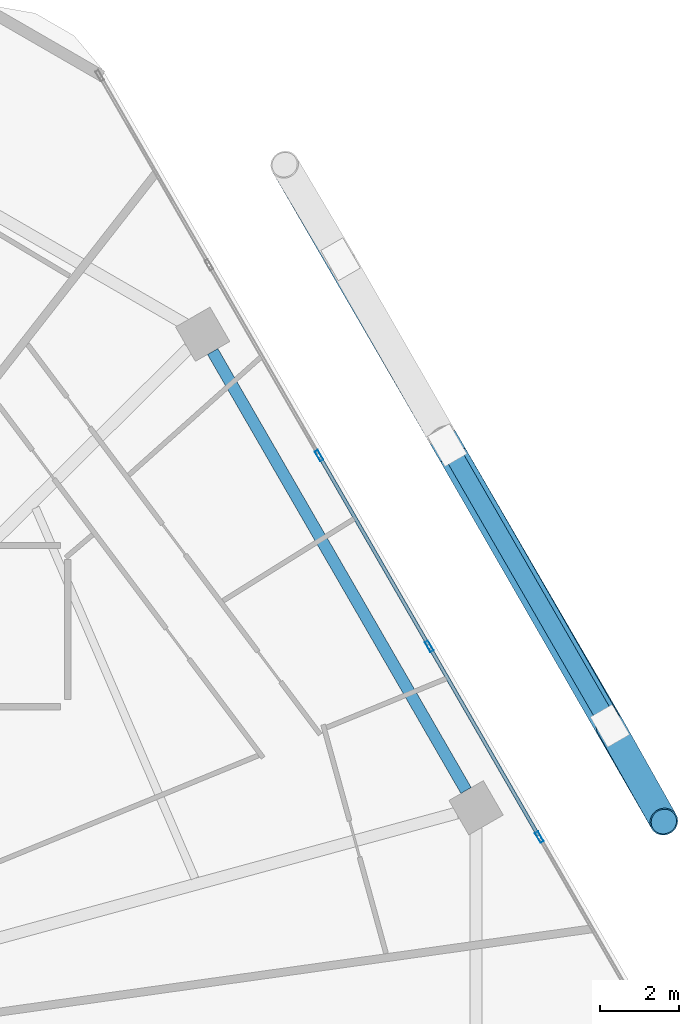
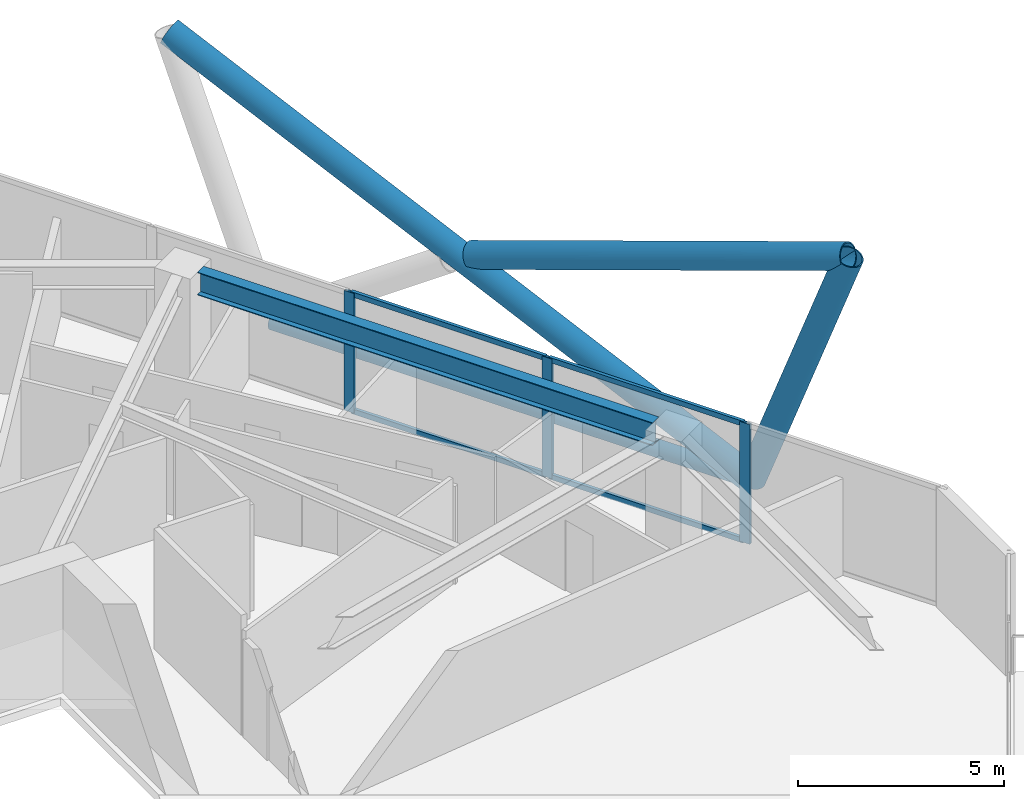
# One storey, part 16 of 28: 11 members, 1 beam, 1 element without a shape of its own.
"""IFC4 building model written with IfcOpenShell, lengths in metres."""

from ifc_helpers import new_model, si_unit, direction, frame, origin, origin_2d, place, context, subcontext, project, spatial, hollow_rectangle, hollow_circle, i_section, extrude, material, material_profile, profile_set, type_object, element, aggregate, save


model = new_model("IFC4")

# Units and contexts
model_context = context("Model", 3, precision=1e-05, world=origin(), true_north=direction((0.0, 1.0)))
body_context = subcontext(model_context, "Body", "Model", "MODEL_VIEW")
ifc_project = project(units=[si_unit("LENGTHUNIT", "METRE"), si_unit("AREAUNIT", "SQUARE_METRE"), si_unit("VOLUMEUNIT", "CUBIC_METRE"), si_unit("PLANEANGLEUNIT", "RADIAN"), si_unit("MASSUNIT", "GRAM", prefix="KILO")], contexts=[model_context])

# Site, building, storey
site_placement = place(None, origin())
site = spatial("IfcSite", under=ifc_project, at=site_placement, CompositionType="ELEMENT")
building_placement = place(site_placement, origin())
building = spatial("IfcBuilding", under=site, at=building_placement, Name="Zuhravey Tower", CompositionType="ELEMENT")
storey_placement = place(building_placement, frame((0.0, 0.0, 154.199951171875)))
storey = spatial("IfcBuildingStorey", under=building, at=storey_placement, Name="L38", CompositionType="ELEMENT", Elevation=154.199951171875)

# Curtain wall, members
ifc_material_1 = material(Name="Thermally broken anodised aluminium", Category="aluminium")
curtain_wall_type = type_object("IfcCurtainWallType", Name="Zone 1-2 Residential Curtain Wall CW3", PredefinedType="NOTDEFINED", material=ifc_material_1)
curtain_wall_placement = place(storey_placement, origin())
curtain_wall = element("IfcCurtainWall", 1, at=curtain_wall_placement, inside=storey, type_object=curtain_wall_type, Name="L38 CW3 CW-L38-F1-1", PredefinedType="NOTDEFINED")
ifc_material_2 = material(Name="Anodised aluminium", Category="aluminium")
ifc_material_profile_1 = material_profile(ifc_material_2, hollow_rectangle(XDim=0.090087890625, YDim=0.284912109375, WallThickness=0.0048828125, at=origin_2d()), Name="ALU-RHS-90x285x5")
ifc_profile_set_1 = profile_set([ifc_material_profile_1], Name="Anodised aluminium")
member_type_1 = type_object("IfcMemberType", Name="Curtain-Wall Mullion 90x180", PredefinedType="MULLION", material=ifc_profile_set_1)
member_1_placement = place(storey_placement, frame((58.155029296875, 47.992431640625, 0.0), z_axis=(0.0, 0.0, 1.0), x_axis=(0.866025138215, 0.500000459979, 0.0)))
member_1 = element("IfcMember", 2, at=member_1_placement, type_object=member_type_1, Name="CW3 mullion 3", PredefinedType="MULLION", context=body_context, shape_type="SweptSolid", body=[
    extrude(hollow_rectangle(XDim=0.090087890625, YDim=0.284912109375, WallThickness=0.0048828125, at=origin_2d()), origin(), (0.0, 0.0, 1.0), 3.550048828125),
])
member_2_placement = place(storey_placement, frame((60.92724609375, 43.190673828125, 0.0), z_axis=(0.0, 0.0, 1.0), x_axis=(0.866025138215, 0.500000459979, 0.0)))
member_2 = element("IfcMember", 3, at=member_2_placement, type_object=member_type_1, Name="CW3 mullion 4", PredefinedType="MULLION", context=body_context, shape_type="SweptSolid", body=[
    extrude(hollow_rectangle(XDim=0.090087890625, YDim=0.284912109375, WallThickness=0.0048828125, at=origin_2d()), origin(), (0.0, 0.0, 1.0), 3.550048828125),
])
member_3_placement = place(storey_placement, frame((63.699462890625, 38.38916015625, 0.0), z_axis=(0.0, 0.0, 1.0), x_axis=(0.866025138215, 0.500000459979, 0.0)))
member_3 = element("IfcMember", 4, at=member_3_placement, type_object=member_type_1, Name="CW3 mullion 5", PredefinedType="MULLION", context=body_context, shape_type="SweptSolid", body=[
    extrude(hollow_rectangle(XDim=0.090087890625, YDim=0.284912109375, WallThickness=0.0048828125, at=origin_2d()), origin(), (0.0, 0.0, 1.0), 3.550048828125),
])
ifc_material_profile_2 = material_profile(ifc_material_2, hollow_rectangle(XDim=0.090087890625, YDim=0.14990234375, WallThickness=0.0048828125, at=origin_2d()), Name="ALU-RHS-90x150x5")
ifc_profile_set_2 = profile_set([ifc_material_profile_2], Name="Anodised aluminium")
member_type_2 = type_object("IfcMemberType", Name="Curtain-Wall Transom 90x150", PredefinedType="USERDEFINED", material=ifc_profile_set_2)
member_4_placement = place(storey_placement, frame((58.177734375, 47.953369140625, 0.045166015625), z_axis=(0.499980763544, -0.866036509673, 0.0), x_axis=(0.866036509673, 0.499980763544, 0.0)))
member_4 = element("IfcMember", 5, at=member_4_placement, type_object=member_type_2, Name="CW3 transom 3.1", ObjectType="TRANSOM", PredefinedType="USERDEFINED", context=body_context, shape_type="SweptSolid", body=[
    extrude(hollow_rectangle(XDim=0.090087890625, YDim=0.14990234375, WallThickness=0.0048828125, at=origin_2d()), origin(), (0.0, 0.0, 1.0), 5.454345703125),
])
member_5_placement = place(storey_placement, frame((58.177734375, 47.953369140625, 3.505126953125), z_axis=(0.499980763544, -0.866036509673, 0.0), x_axis=(0.866036509673, 0.499980763544, 0.0)))
member_5 = element("IfcMember", 6, at=member_5_placement, type_object=member_type_2, Name="CW3 transom 3.2", ObjectType="TRANSOM", PredefinedType="USERDEFINED", context=body_context, shape_type="SweptSolid", body=[
    extrude(hollow_rectangle(XDim=0.090087890625, YDim=0.14990234375, WallThickness=0.0048828125, at=origin_2d()), origin(), (0.0, 0.0, 1.0), 5.454345703125),
])
member_6_placement = place(storey_placement, frame((60.949951171875, 43.15185546875, 0.045166015625), z_axis=(0.49996138257, -0.86604769842, 0.0), x_axis=(0.86604769842, 0.49996138257, 0.0)))
member_6 = element("IfcMember", 7, at=member_6_placement, type_object=member_type_2, Name="CW3 transom 4.1", ObjectType="TRANSOM", PredefinedType="USERDEFINED", context=body_context, shape_type="SweptSolid", body=[
    extrude(hollow_rectangle(XDim=0.090087890625, YDim=0.14990234375, WallThickness=0.0048828125, at=origin_2d()), origin(), (0.0, 0.0, 1.0), 5.45458984375),
])
member_7_placement = place(storey_placement, frame((60.949951171875, 43.15185546875, 3.505126953125), z_axis=(0.49996138257, -0.86604769842, 0.0), x_axis=(0.86604769842, 0.49996138257, 0.0)))
member_7 = element("IfcMember", 8, at=member_7_placement, type_object=member_type_2, Name="CW3 transom 4.2", ObjectType="TRANSOM", PredefinedType="USERDEFINED", context=body_context, shape_type="SweptSolid", body=[
    extrude(hollow_rectangle(XDim=0.090087890625, YDim=0.14990234375, WallThickness=0.0048828125, at=origin_2d()), origin(), (0.0, 0.0, 1.0), 5.45458984375),
])
aggregate(curtain_wall, [member_1, member_2, member_3, member_4, member_5, member_6, member_7])

# Members
ifc_material_3 = material(Name="Steel SM355", Category="steel")
ifc_material_profile_3 = material_profile(ifc_material_3, hollow_circle(Radius=0.228515625, WallThickness=0.02197265625, at=origin_2d()), Name="CHS-457.2x22")
ifc_profile_set_3 = profile_set([ifc_material_profile_3], Name="Steel SM355")
member_type_3 = type_object("IfcMemberType", Name="Exoskeleton Ring Tie CHS457x22", PredefinedType="CHORD", material=ifc_profile_set_3)
member_8_placement = place(storey_placement, frame((65.40771484375, 41.310302734375, -0.4638671875), z_axis=(-0.499996131841, 0.866027637056, 0.0), x_axis=(-0.866027637056, -0.499996131841, 0.0)))
element("IfcMember", 9, at=member_8_placement, inside=storey, type_object=member_type_3, Name="L38 Exoskeleton Face 1 Tie EXR1", PredefinedType="CHORD", context=body_context, shape_type="SweptSolid", body=[
    extrude(hollow_circle(Radius=0.228515625, WallThickness=0.02197265625, at=origin_2d()), origin(), (0.0, 0.0, 1.0), 13.28173828125),
])
ifc_material_4 = material(Name="Steel SM460", Category="steel")
ifc_material_profile_4 = material_profile(ifc_material_4, hollow_circle(Radius=0.355712890625, WallThickness=0.031982421875, at=origin_2d()), Name="CHS-711.2x32")
ifc_profile_set_4 = profile_set([ifc_material_profile_4], Name="Steel SM460")
member_type_4 = type_object("IfcMemberType", Name="Exoskeleton Zone 2 Diagrid CHS711x32", PredefinedType="BRACE", material=ifc_profile_set_4)
member_9_placement = place(storey_placement, frame((65.4814453125, 41.182861328125, -0.44384765625), z_axis=(0.168215708944, -0.298814198936, 0.939368697466), x_axis=(0.871410102193, 0.490555230118, 0.0)))
element("IfcMember", 10, at=member_9_placement, inside=storey, type_object=member_type_4, Name="L38 Face 1 Diagrid Brace 1", PredefinedType="BRACE", context=body_context, shape_type="SweptSolid", body=[
    extrude(hollow_circle(Radius=0.355712890625, WallThickness=0.031982421875, at=origin_2d()), origin(), (0.0, 0.0, 1.0), 8.0478515625),
])
member_10_placement = place(storey_placement, frame((65.456298828125, 41.226318359375, -0.44384765625), z_axis=(-0.454788189416, 0.784375448834, 0.42180903029), x_axis=(-0.865102775401, -0.501594645101, 0.0)))
element("IfcMember", 11, at=member_10_placement, inside=storey, type_object=member_type_4, Name="L38 Face 1 Diagrid Brace 2", PredefinedType="BRACE", context=body_context, shape_type="SweptSolid", body=[
    extrude(hollow_circle(Radius=0.355712890625, WallThickness=0.031982421875, at=origin_2d()), origin(), (0.0, 0.0, 1.0), 17.92236328125),
])
member_11_placement = place(storey_placement, frame((61.543701171875, 47.972412109375, 3.449462890625), z_axis=(0.471210444517, -0.818738510574, 0.328067017974), x_axis=(0.866706878628, 0.498817788915, 0.0)))
element("IfcMember", 12, at=member_11_placement, inside=storey, type_object=member_type_4, Name="L38 Face 1 Split Diagrid Brace 3B", PredefinedType="BRACE", context=body_context, shape_type="SweptSolid", body=[
    extrude(hollow_circle(Radius=0.355712890625, WallThickness=0.031982421875, at=origin_2d()), origin(), (0.0, 0.0, 1.0), 11.190185546875),
])

# Beam
ifc_material_profile_5 = material_profile(ifc_material_3, i_section(OverallWidth=0.300048828125, OverallDepth=0.679931640625, WebThickness=0.012939453125, FlangeThickness=0.02197265625, at=origin_2d()), Name="H-680x300x13x22")
ifc_profile_set_5 = profile_set([ifc_material_profile_5], Name="Steel SM355")
beam_type = type_object("IfcBeamType", Name="Perimeter Ring Beam H680x300", PredefinedType="BEAM", material=ifc_profile_set_5)
beam_placement = place(storey_placement, frame((61.856201171875, 39.56201171875, 3.2099609375), z_axis=(-0.499997974489, 0.866026573211, 0.0), x_axis=(-0.866026573211, -0.499997974489, 0.0)))
element("IfcBeam", 13, at=beam_placement, inside=storey, type_object=beam_type, Name="L38 PB2 BM-L38-PB-01", PredefinedType="BEAM", context=body_context, shape_type="SweptSolid", body=[
    extrude(i_section(OverallWidth=0.300048828125, OverallDepth=0.679931640625, WebThickness=0.012939453125, FlangeThickness=0.02197265625, at=origin_2d()), origin(), (0.0, 0.0, 1.0), 12.75830078125),
])

save(model, "model.ifc")
